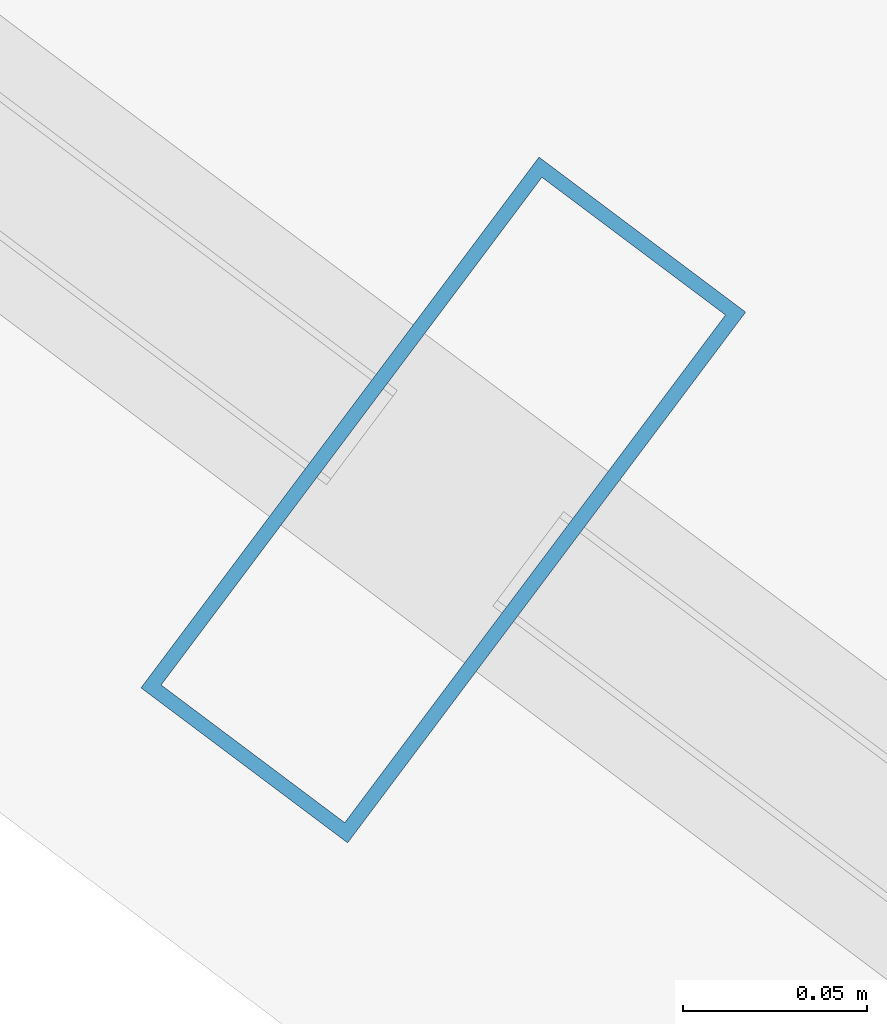
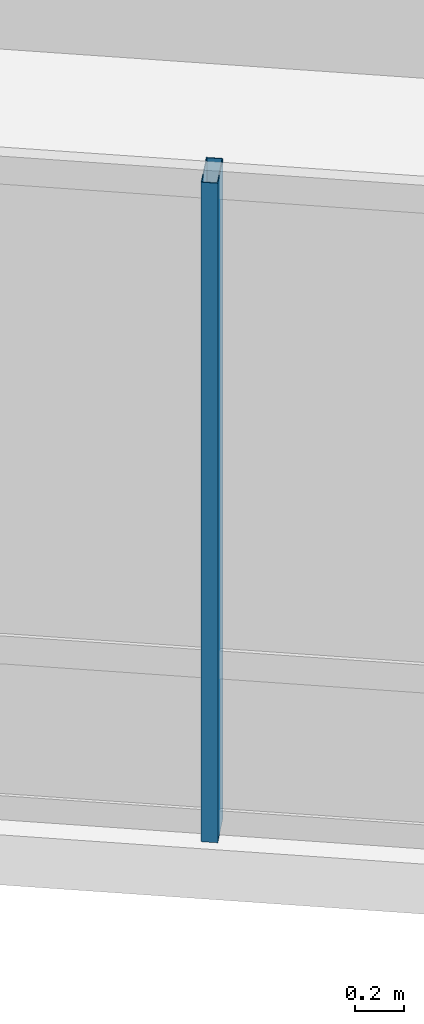
# One storey, part 3 of 29: 1 member, 1 element without a shape of its own.
"""IFC4 building model written with IfcOpenShell, lengths in metres."""

from ifc_helpers import new_model, si_unit, direction, frame, origin, origin_2d, place, context, subcontext, project, spatial, hollow_rectangle, extrude, material, layer, layer_set, material_profile, profile_set, type_object, element, aggregate, save


model = new_model("IFC4")

# Units and contexts
model_context = context("Model", 3, precision=1e-05, world=origin(), true_north=direction((0.0, 1.0)))
body_context = subcontext(model_context, "Body", "Model", "MODEL_VIEW")
ifc_project = project(units=[si_unit("LENGTHUNIT", "METRE"), si_unit("AREAUNIT", "SQUARE_METRE"), si_unit("VOLUMEUNIT", "CUBIC_METRE"), si_unit("PLANEANGLEUNIT", "RADIAN"), si_unit("MASSUNIT", "GRAM", prefix="KILO")], contexts=[model_context])

# Site, building, storey
site_placement = place(None, origin())
site = spatial("IfcSite", under=ifc_project, at=site_placement, CompositionType="ELEMENT")
building_placement = place(site_placement, origin())
building = spatial("IfcBuilding", under=site, at=building_placement, Name="Hatsunagi Terrace Concourse", CompositionType="ELEMENT")
storey_placement = place(building_placement, frame((0.0, 0.0, 178.050048828125)))
storey = spatial("IfcBuildingStorey", under=building, at=storey_placement, Name="L47", CompositionType="ELEMENT", Elevation=178.050048828125)

# Curtain wall, member
ifc_material_1 = material(Name="Anodised Aluminium Alloy 6063-T5", Category="aluminium")
ifc_layer = layer(ifc_material_1, 0.199951171875)
ifc_layer_set = layer_set([ifc_layer], Name="OfficeZone1_CW03")
curtain_wall_type = type_object("IfcCurtainWallType", Name="OfficeZone1_CW03", PredefinedType="NOTDEFINED", material=ifc_layer_set)
curtain_wall_placement = place(storey_placement, origin())
curtain_wall = element("IfcCurtainWall", 1, at=curtain_wall_placement, inside=storey, type_object=curtain_wall_type, Name="Unitised Curtain Wall CW-03 CW-L47-05", PredefinedType="NOTDEFINED")
ifc_material_2 = material(Name="Anodised Aluminium Alloy 6063-T5", Category="aluminium")
ifc_material_profile = material_profile(ifc_material_2, hollow_rectangle(XDim=0.070068359375, YDim=0.179931640625, WallThickness=0.00390625, at=origin_2d()), Name="ALU-MUL-180x70x4")
ifc_profile_set = profile_set([ifc_material_profile], Name="Anodised Aluminium Alloy 6063-T5")
member_type = type_object("IfcMemberType", Name="CurtainWallMullion_180x70", PredefinedType="MULLION", material=ifc_profile_set)
member_placement = place(storey_placement, frame((41.341064453125, 11.468994140625, 0.0), z_axis=(0.0, 0.0, 1.0), x_axis=(-0.800005211305, 0.599993051531, 0.0)))
member = element("IfcMember", 2, at=member_placement, type_object=member_type, Name="Curtain Wall Mullion MUL-02", PredefinedType="MULLION", context=body_context, shape_type="SweptSolid", body=[
    extrude(hollow_rectangle(XDim=0.070068359375, YDim=0.179931640625, WallThickness=0.00390625, at=origin_2d()), origin(), (0.0, 0.0, 1.0), 3.300048828125),
])
aggregate(curtain_wall, [member])

save(model, "model.ifc")
